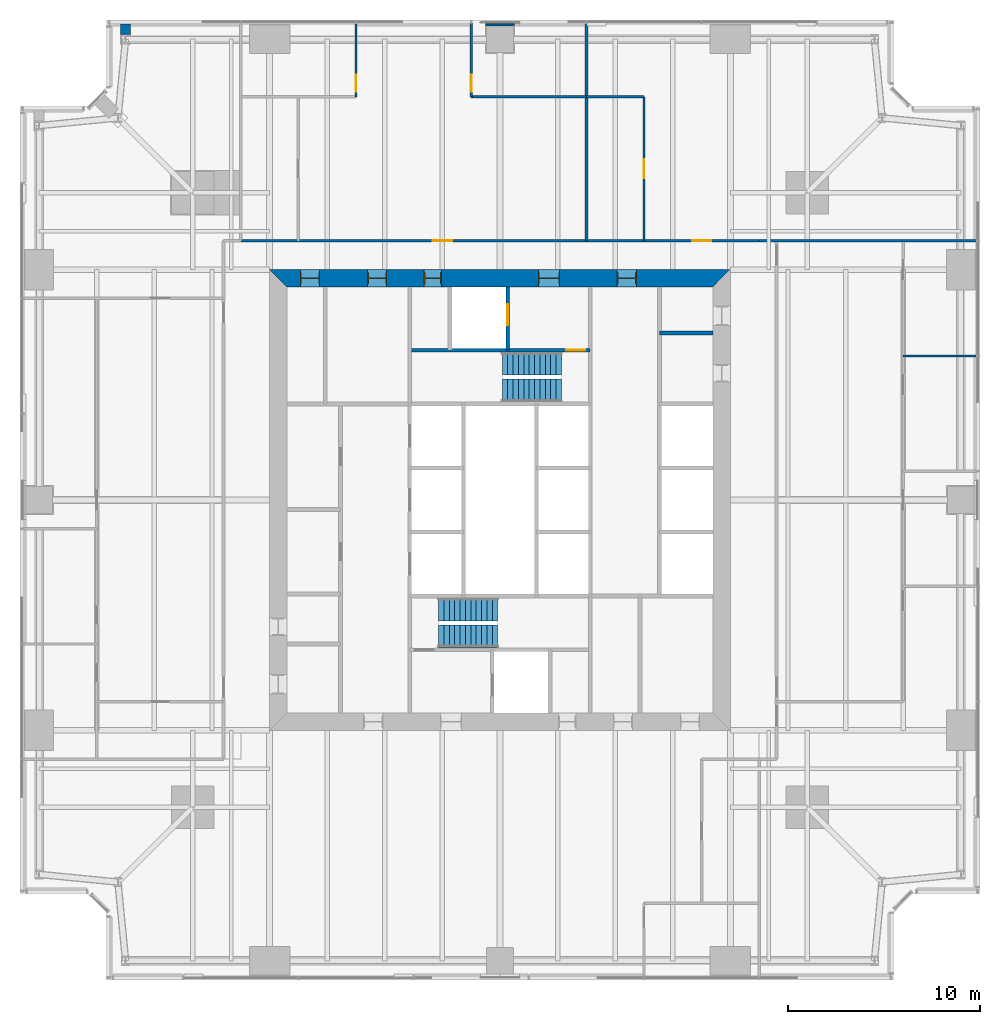
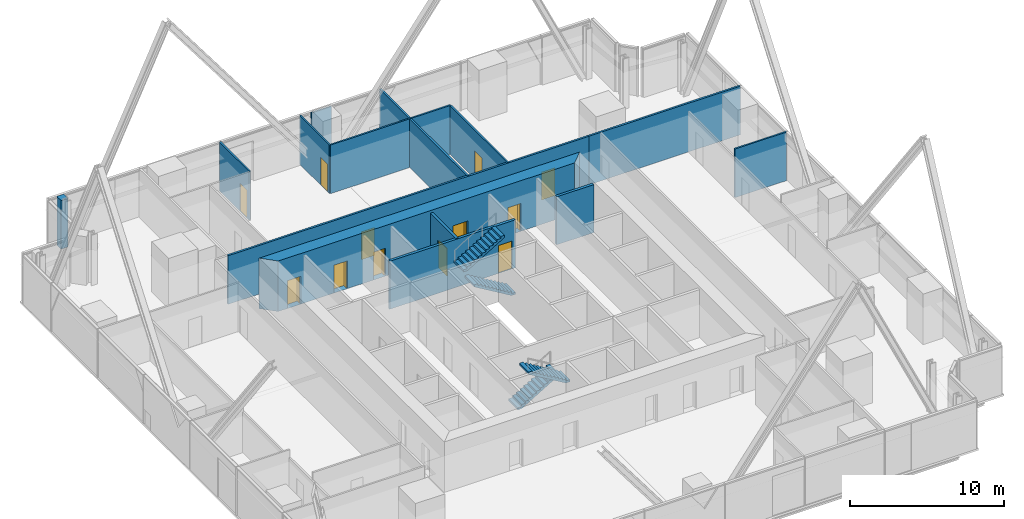
# One storey, part 11 of 13: 15 walls, 12 doors, 4 stair flights, 12 openings, 2 elements without a shape of their own.
"""IFC4 building model written with IfcOpenShell, lengths in metres."""

from ifc_helpers import new_model, si_unit, direction, frame, frame_2d, origin, place, context, subcontext, project, spatial, polyline, rectangle, outline, extrude, material, layer, layer_set, type_object, element, fill, aggregate, save


model = new_model("IFC4")

# Units and contexts
model_context = context("Model", 3, precision=1e-05, world=origin(), true_north=direction((0.0, 1.0)))
body_context = subcontext(model_context, "Body", "Model", "MODEL_VIEW")
ifc_project = project(units=[si_unit("LENGTHUNIT", "METRE"), si_unit("AREAUNIT", "SQUARE_METRE"), si_unit("VOLUMEUNIT", "CUBIC_METRE"), si_unit("PLANEANGLEUNIT", "RADIAN"), si_unit("MASSUNIT", "GRAM", prefix="KILO")], contexts=[model_context])

# Site, building, storey
site_placement = place(None, origin())
site = spatial("IfcSite", under=ifc_project, at=site_placement, CompositionType="ELEMENT")
building_placement = place(site_placement, origin())
building = spatial("IfcBuilding", under=site, at=building_placement, Name="Fenwick Lantern Interchange", CompositionType="ELEMENT")
storey_placement = place(building_placement, frame((0.0, 0.0, 114.39990234375)))
storey = spatial("IfcBuildingStorey", under=building, at=storey_placement, Name="L26", CompositionType="ELEMENT", Elevation=114.39990234375)

# Walls
ifc_material_1 = material(Name="Fire-rated gypsum board encasement on steel studs, 2 hour", Category="steel")
ifc_layer_1 = layer(ifc_material_1, 1.5)
ifc_layer_set_1 = layer_set([ifc_layer_1], Name="COLUMN PIER 1500")
wall_type_1 = type_object("IfcWallType", Name="COLUMN PIER 1500", PredefinedType="PARTITIONING", material=ifc_layer_set_1)
wall_1_placement = place(storey_placement, frame((25.0, 49.800048828125, 0.0), z_axis=(0.0, 0.0, 1.0), x_axis=(0.0, -1.0, 0.0)))
element("IfcWall", 1, at=wall_1_placement, inside=storey, type_object=wall_type_1, Name="L26/W/PIER/CN3", PredefinedType="PARTITIONING", context=body_context, shape_type="SweptSolid", body=[
    extrude(rectangle(XDim=0.10009765625, YDim=1.5, at=frame_2d((0.050048828125, 0.0))), origin(), (0.0, 0.0, 1.0), 3.85009765625),
])
ifc_layer_2 = layer(ifc_material_1, 0.52392578125)
ifc_layer_set_2 = layer_set([ifc_layer_2], Name="COLUMN PIER 524")
wall_type_2 = type_object("IfcWallType", Name="COLUMN PIER 524", PredefinedType="PARTITIONING", material=ifc_layer_set_2)
wall_2_placement = place(storey_placement, frame((5.5, 49.800048828125, 0.0), z_axis=(0.0, 0.0, 1.0), x_axis=(0.0, -1.0, 0.0)))
element("IfcWall", 2, at=wall_2_placement, inside=storey, type_object=wall_type_2, Name="L26/W/PIER/CN5", PredefinedType="PARTITIONING", context=body_context, shape_type="SweptSolid", body=[
    extrude(rectangle(XDim=0.5625, YDim=0.52392578125, at=frame_2d((0.28125, 0.0))), origin(), (0.0, 0.0, 1.0), 3.85009765625),
])

# Wall, opening, door
ifc_material_2 = material(Name="Concrete masonry ASTM C90 Grade N", Category="masonry")
ifc_layer_3 = layer(ifc_material_2, 0.199951171875)
ifc_layer_set_3 = layer_set([ifc_layer_3], Name="Concrete masonry ASTM C90 Grade N")
wall_type_3 = type_object("IfcWallType", Name="CORE PARTITION 200", PredefinedType="PARTITIONING", material=ifc_layer_set_3)
wall_3_placement = place(storey_placement, frame((25.39990234375, 36.10009765625, 0.0), z_axis=(0.0, 0.0, 1.0), x_axis=(0.0, -1.0, 0.0)))
wall_3 = element("IfcWall", 3, at=wall_3_placement, inside=storey, type_object=wall_type_3, Name="L26/W/COREN/h1", PredefinedType="PARTITIONING", context=body_context, shape_type="SweptSolid", body=[
    extrude(rectangle(XDim=3.300048828125, YDim=0.199951171875, at=frame_2d((1.64990234375, 0.0))), origin(), (0.0, 0.0, 1.0), 3.800048828125),
])
opening_1_placement = place(wall_3_placement, frame((0.89990234375, 0.0, 0.0)))
opening_1 = element("IfcOpeningElement", 4, at=opening_1_placement, cuts=wall_3, Name="Opening LD-FL2", PredefinedType="OPENING", context=body_context, shape_type="SweptSolid", body=[
    extrude(rectangle(XDim=1.10009765625, YDim=2.199951171875, at=frame_2d((0.550048828125, 1.10009765625))), frame((0.0, 0.10986328125, 0.0), z_axis=(0.0, -1.0, 0.0), x_axis=(1.0, 0.0, 0.0)), (0.0, 0.0, 1.0), 0.219970703125),
])
ifc_material_3 = material(Name="Steel door and frame", Category="steel")
door_type_1 = type_object("IfcDoorType", Name="LIFT LANDING DOOR 1100 X 2200", OperationType="DOUBLE_DOOR_SLIDING", PredefinedType="DOOR", material=ifc_material_3)
door_1_placement = place(opening_1_placement, origin())
door_1 = element("IfcDoor", 5, at=door_1_placement, inside=storey, type_object=door_type_1, Name="Lift landing door FL2", OperationType="DOUBLE_DOOR_SLIDING", OverallHeight=2.199951171875, OverallWidth=1.10009765625, PredefinedType="DOOR", context=body_context, shape_type="SweptSolid", body=[
    extrude(rectangle(XDim=1.10009765625, YDim=2.199951171875, at=frame_2d((0.550048828125, 1.10009765625))), frame((0.0, 0.02490234375, 0.0), z_axis=(0.0, -1.0, 0.0), x_axis=(1.0, 0.0, 0.0)), (0.0, 0.0, 1.0), 0.050048828125),
])
fill(opening_1, door_1)

# Wall
wall_4_placement = place(storey_placement, frame((36.10009765625, 33.699951171875, 0.0), z_axis=(0.0, 0.0, 1.0), x_axis=(-1.0, 0.0, 0.0)))
element("IfcWall", 6, at=wall_4_placement, inside=storey, type_object=wall_type_3, Name="L26/W/COREN/p1", PredefinedType="PARTITIONING", context=body_context, shape_type="SweptSolid", body=[
    extrude(rectangle(XDim=2.800048828125, YDim=0.199951171875, at=frame_2d((1.39990234375, 0.0))), origin(), (0.0, 0.0, 1.0), 3.800048828125),
])

# Wall, openings, doors
ifc_material_4 = material(Name="Concrete f'c 70 MPa", Category="concrete")
ifc_layer_4 = layer(ifc_material_4, 0.89990234375)
ifc_layer_set_4 = layer_set([ifc_layer_4], Name="CORE WALL 900")
wall_type_4 = type_object("IfcWallType", Name="CORE WALL 900", PredefinedType="SHEAR", material=ifc_layer_set_4)
wall_5_placement = place(storey_placement, frame((37.0, 36.550048828125, 0.0), z_axis=(0.0, 0.0, 1.0), x_axis=(-1.0, 0.0, 0.0)))
wall_5 = element("IfcWall", 7, at=wall_5_placement, inside=storey, type_object=wall_type_4, Name="L26/CORE/N", PredefinedType="SHEAR", context=body_context, shape_type="SweptSolid", body=[
    extrude(outline(polyline([(0.0, -0.449951171875), (24.0, -0.449951171875), (23.10009765625, 0.449951171875), (0.89990234375, 0.449951171875), (0.0, -0.449951171875)])), origin(), (0.0, 0.0, 1.0), 4.0),
])
opening_2_placement = place(wall_5_placement, frame((4.89990234375, 0.0, 0.0)))
opening_2 = element("IfcOpeningElement", 8, at=opening_2_placement, cuts=wall_5, Name="Opening L26-D011", PredefinedType="OPENING", context=body_context, shape_type="SweptSolid", body=[
    extrude(rectangle(XDim=1.0, YDim=2.199951171875, at=frame_2d((0.5, 1.10009765625))), frame((0.0, 0.4599609375, 0.0), z_axis=(0.0, -1.0, 0.0), x_axis=(1.0, 0.0, 0.0)), (0.0, 0.0, 1.0), 0.919921875),
])
opening_3_placement = place(wall_5_placement, frame((8.89990234375, 0.0, 0.0)))
opening_3 = element("IfcOpeningElement", 9, at=opening_3_placement, cuts=wall_5, Name="Opening L26-D012", PredefinedType="OPENING", context=body_context, shape_type="SweptSolid", body=[
    extrude(rectangle(XDim=1.10009765625, YDim=2.199951171875, at=frame_2d((0.550048828125, 1.10009765625))), frame((0.0, 0.4599609375, 0.0), z_axis=(0.0, -1.0, 0.0), x_axis=(1.0, 0.0, 0.0)), (0.0, 0.0, 1.0), 0.919921875),
])
opening_4_placement = place(wall_5_placement, frame((15.050048828125, 0.0, 0.0)))
opening_4 = element("IfcOpeningElement", 10, at=opening_4_placement, cuts=wall_5, Name="Opening L26-D014", PredefinedType="OPENING", context=body_context, shape_type="SweptSolid", body=[
    extrude(rectangle(XDim=0.89990234375, YDim=2.199951171875, at=frame_2d((0.449951171875, 1.10009765625))), frame((0.0, 0.4599609375, 0.0), z_axis=(0.0, -1.0, 0.0), x_axis=(1.0, 0.0, 0.0)), (0.0, 0.0, 1.0), 0.919921875),
])
opening_5_placement = place(wall_5_placement, frame((17.89990234375, 0.0, 0.0)))
opening_5 = element("IfcOpeningElement", 11, at=opening_5_placement, cuts=wall_5, Name="Opening L26-D015", PredefinedType="OPENING", context=body_context, shape_type="SweptSolid", body=[
    extrude(rectangle(XDim=1.0, YDim=2.199951171875, at=frame_2d((0.5, 1.10009765625))), frame((0.0, 0.4599609375, 0.0), z_axis=(0.0, -1.0, 0.0), x_axis=(1.0, 0.0, 0.0)), (0.0, 0.0, 1.0), 0.919921875),
])
opening_6_placement = place(wall_5_placement, frame((21.39990234375, 0.0, 0.0)))
opening_6 = element("IfcOpeningElement", 12, at=opening_6_placement, cuts=wall_5, Name="Opening L26-D016", PredefinedType="OPENING", context=body_context, shape_type="SweptSolid", body=[
    extrude(rectangle(XDim=1.0, YDim=2.199951171875, at=frame_2d((0.5, 1.10009765625))), frame((0.0, 0.4599609375, 0.0), z_axis=(0.0, -1.0, 0.0), x_axis=(1.0, 0.0, 0.0)), (0.0, 0.0, 1.0), 0.919921875),
])
door_type_2 = type_object("IfcDoorType", Name="CORE LOBBY DOOR 1000 X 2200", OperationType="SINGLE_SWING_LEFT", PredefinedType="DOOR", material=ifc_material_3)
door_2_placement = place(opening_2_placement, origin())
door_2 = element("IfcDoor", 13, at=door_2_placement, inside=storey, type_object=door_type_2, Name="Core lobby door", OperationType="SINGLE_SWING_LEFT", OverallHeight=2.199951171875, OverallWidth=1.0, PredefinedType="DOOR", context=body_context, shape_type="SweptSolid", body=[
    extrude(rectangle(XDim=1.0, YDim=2.199951171875, at=frame_2d((0.5, 1.10009765625))), frame((0.0, 0.02490234375, 0.0), z_axis=(0.0, -1.0, 0.0), x_axis=(1.0, 0.0, 0.0)), (0.0, 0.0, 1.0), 0.050048828125),
    extrude(outline(polyline([(0.0, 0.0), (0.0400390625, 0.0), (0.0400390625, 2.159912109375), (0.9599609375, 2.159912109375), (0.9599609375, 0.0), (1.0, 0.0), (1.0, 2.199951171875), (0.0, 2.199951171875), (0.0, 0.0)])), frame((0.0, 0.300048828125, 0.0), z_axis=(0.0, -1.0, 0.0), x_axis=(1.0, 0.0, 0.0)), (0.0, 0.0, 1.0), 0.60009765625),
])
fill(opening_2, door_2)
door_type_3 = type_object("IfcDoorType", Name="FIRE LOBBY DOOR 1100 X 2200", OperationType="SINGLE_SWING_LEFT", PredefinedType="DOOR", material=ifc_material_3)
door_3_placement = place(opening_3_placement, origin())
door_3 = element("IfcDoor", 14, at=door_3_placement, inside=storey, type_object=door_type_3, Name="Fire lobby door", OperationType="SINGLE_SWING_LEFT", OverallHeight=2.199951171875, OverallWidth=1.10009765625, PredefinedType="DOOR", context=body_context, shape_type="SweptSolid", body=[
    extrude(rectangle(XDim=1.10009765625, YDim=2.199951171875, at=frame_2d((0.550048828125, 1.10009765625))), frame((0.0, 0.02490234375, 0.0), z_axis=(0.0, -1.0, 0.0), x_axis=(1.0, 0.0, 0.0)), (0.0, 0.0, 1.0), 0.050048828125),
    extrude(outline(polyline([(0.0, 0.0), (0.0400390625, 0.0), (0.0400390625, 2.159912109375), (1.06005859375, 2.159912109375), (1.06005859375, 0.0), (1.10009765625, 0.0), (1.10009765625, 2.199951171875), (0.0, 2.199951171875), (0.0, 0.0)])), frame((0.0, 0.300048828125, 0.0), z_axis=(0.0, -1.0, 0.0), x_axis=(1.0, 0.0, 0.0)), (0.0, 0.0, 1.0), 0.60009765625),
])
fill(opening_3, door_3)
door_type_4 = type_object("IfcDoorType", Name="SERVICE DOOR 900 X 2200", OperationType="SINGLE_SWING_LEFT", PredefinedType="DOOR", material=ifc_material_3)
door_4_placement = place(opening_4_placement, origin())
door_4 = element("IfcDoor", 15, at=door_4_placement, inside=storey, type_object=door_type_4, Name="Service door", OperationType="SINGLE_SWING_LEFT", OverallHeight=2.199951171875, OverallWidth=0.89990234375, PredefinedType="DOOR", context=body_context, shape_type="SweptSolid", body=[
    extrude(rectangle(XDim=0.89990234375, YDim=2.199951171875, at=frame_2d((0.449951171875, 1.10009765625))), frame((0.0, 0.02490234375, 0.0), z_axis=(0.0, -1.0, 0.0), x_axis=(1.0, 0.0, 0.0)), (0.0, 0.0, 1.0), 0.050048828125),
    extrude(outline(polyline([(0.0, 0.0), (0.0400390625, 0.0), (0.0400390625, 2.159912109375), (0.85986328125, 2.159912109375), (0.85986328125, 0.0), (0.89990234375, 0.0), (0.89990234375, 2.199951171875), (0.0, 2.199951171875), (0.0, 0.0)])), frame((0.0, 0.300048828125, 0.0), z_axis=(0.0, -1.0, 0.0), x_axis=(1.0, 0.0, 0.0)), (0.0, 0.0, 1.0), 0.60009765625),
])
fill(opening_4, door_4)
ifc_material_5 = material(Name="Hardwood door and steel frame", Category="steel")
door_type_5 = type_object("IfcDoorType", Name="WC DOOR 1000 X 2200", OperationType="SINGLE_SWING_LEFT", PredefinedType="DOOR", material=ifc_material_5)
door_5_placement = place(opening_5_placement, origin())
door_5 = element("IfcDoor", 16, at=door_5_placement, inside=storey, type_object=door_type_5, Name="Wc door", OperationType="SINGLE_SWING_LEFT", OverallHeight=2.199951171875, OverallWidth=1.0, PredefinedType="DOOR", context=body_context, shape_type="SweptSolid", body=[
    extrude(rectangle(XDim=1.0, YDim=2.199951171875, at=frame_2d((0.5, 1.10009765625))), frame((0.0, 0.02490234375, 0.0), z_axis=(0.0, -1.0, 0.0), x_axis=(1.0, 0.0, 0.0)), (0.0, 0.0, 1.0), 0.050048828125),
    extrude(outline(polyline([(0.0, 0.0), (0.0400390625, 0.0), (0.0400390625, 2.159912109375), (0.9599609375, 2.159912109375), (0.9599609375, 0.0), (1.0, 0.0), (1.0, 2.199951171875), (0.0, 2.199951171875), (0.0, 0.0)])), frame((0.0, 0.300048828125, 0.0), z_axis=(0.0, -1.0, 0.0), x_axis=(1.0, 0.0, 0.0)), (0.0, 0.0, 1.0), 0.60009765625),
])
fill(opening_5, door_5)
door_6_placement = place(opening_6_placement, origin())
door_6 = element("IfcDoor", 17, at=door_6_placement, inside=storey, type_object=door_type_5, Name="Wc door", OperationType="SINGLE_SWING_LEFT", OverallHeight=2.199951171875, OverallWidth=1.0, PredefinedType="DOOR", context=body_context, shape_type="SweptSolid", body=[
    extrude(rectangle(XDim=1.0, YDim=2.199951171875, at=frame_2d((0.5, 1.10009765625))), frame((0.0, 0.02490234375, 0.0), z_axis=(0.0, -1.0, 0.0), x_axis=(1.0, 0.0, 0.0)), (0.0, 0.0, 1.0), 0.050048828125),
    extrude(outline(polyline([(0.0, 0.0), (0.0400390625, 0.0), (0.0400390625, 2.159912109375), (0.9599609375, 2.159912109375), (0.9599609375, 0.0), (1.0, 0.0), (1.0, 2.199951171875), (0.0, 2.199951171875), (0.0, 0.0)])), frame((0.0, 0.300048828125, 0.0), z_axis=(0.0, -1.0, 0.0), x_axis=(1.0, 0.0, 0.0)), (0.0, 0.0, 1.0), 0.60009765625),
])
fill(opening_6, door_6)

ifc_material_6 = material(Name="Gypsum board on steel studs, 1 hour", Category="steel")
ifc_layer_5 = layer(ifc_material_6, 0.14990234375)
ifc_layer_set_5 = layer_set([ifc_layer_5], Name="CORRIDOR WALL 150")
wall_type_5 = type_object("IfcWallType", Name="CORRIDOR WALL 150", PredefinedType="PARTITIONING", material=ifc_layer_set_5)
wall_6_placement = place(storey_placement, frame((38.5, 38.5, 0.0), z_axis=(0.0, 0.0, 1.0), x_axis=(-1.0, 0.0, 0.0)))
wall_6 = element("IfcWall", 18, at=wall_6_placement, inside=storey, type_object=wall_type_5, Name="L26/W/OFF/N/CW", PredefinedType="PARTITIONING", context=body_context, shape_type="SweptSolid", body=[
    extrude(rectangle(XDim=27.0, YDim=0.14990234375, at=frame_2d((13.5, 0.0))), origin(), (0.0, 0.0, 1.0), 3.85009765625),
])
opening_7_placement = place(wall_6_placement, frame((2.5, 0.0, 0.0)))
opening_7 = element("IfcOpeningElement", 19, at=opening_7_placement, cuts=wall_6, Name="Opening L26-D028", PredefinedType="OPENING", context=body_context, shape_type="SweptSolid", body=[
    extrude(rectangle(XDim=1.0, YDim=2.199951171875, at=frame_2d((0.5, 1.10009765625))), frame((0.0, 0.0849609375, 0.0), z_axis=(0.0, -1.0, 0.0), x_axis=(1.0, 0.0, 0.0)), (0.0, 0.0, 1.0), 0.169921875),
])
opening_8_placement = place(wall_6_placement, frame((16.0, 0.0, 0.0)))
opening_8 = element("IfcOpeningElement", 20, at=opening_8_placement, cuts=wall_6, Name="Opening L26-D030", PredefinedType="OPENING", context=body_context, shape_type="SweptSolid", body=[
    extrude(rectangle(XDim=1.0, YDim=2.199951171875, at=frame_2d((0.5, 1.10009765625))), frame((0.0, 0.0849609375, 0.0), z_axis=(0.0, -1.0, 0.0), x_axis=(1.0, 0.0, 0.0)), (0.0, 0.0, 1.0), 0.169921875),
])
door_type_6 = type_object("IfcDoorType", Name="SUITE ENTRANCE DOOR 1000 X 2200", OperationType="SINGLE_SWING_LEFT", PredefinedType="DOOR", material=ifc_material_3)
door_7_placement = place(opening_7_placement, frame((1.0, 0.0, 0.0), z_axis=(0.0, 0.0, 1.0), x_axis=(-1.0, 0.0, 0.0)))
door_7 = element("IfcDoor", 21, at=door_7_placement, inside=storey, type_object=door_type_6, Name="Suite entrance door", OperationType="SINGLE_SWING_LEFT", OverallHeight=2.199951171875, OverallWidth=1.0, PredefinedType="DOOR", context=body_context, shape_type="SweptSolid", body=[
    extrude(rectangle(XDim=1.0, YDim=2.199951171875, at=frame_2d((0.5, 1.10009765625))), frame((0.0, 0.02490234375, 0.0), z_axis=(0.0, -1.0, 0.0), x_axis=(1.0, 0.0, 0.0)), (0.0, 0.0, 1.0), 0.050048828125),
])
fill(opening_7, door_7)
door_8_placement = place(opening_8_placement, frame((1.0, 0.0, 0.0), z_axis=(0.0, 0.0, 1.0), x_axis=(-1.0, 0.0, 0.0)))
door_8 = element("IfcDoor", 22, at=door_8_placement, inside=storey, type_object=door_type_6, Name="Suite entrance door", OperationType="SINGLE_SWING_RIGHT", OverallHeight=2.199951171875, OverallWidth=1.0, PredefinedType="DOOR", context=body_context, shape_type="SweptSolid", body=[
    extrude(rectangle(XDim=1.0, YDim=2.199951171875, at=frame_2d((0.5, 1.10009765625))), frame((0.0, 0.02490234375, 0.0), z_axis=(0.0, -1.0, 0.0), x_axis=(1.0, 0.0, 0.0)), (0.0, 0.0, 1.0), 0.050048828125),
])
fill(opening_8, door_8)

# Wall
ifc_material_7 = material(Name="Gypsum board on steel studs, acoustic", Category="steel")
ifc_layer_6 = layer(ifc_material_7, 0.125)
ifc_layer_set_6 = layer_set([ifc_layer_6], Name="OFFICE PARTITION 125")
wall_type_6 = type_object("IfcWallType", Name="OFFICE PARTITION 125", PredefinedType="PARTITIONING", material=ifc_layer_set_6)
wall_7_placement = place(storey_placement, frame((49.85009765625, 32.5, 0.0), z_axis=(0.0, 0.0, 1.0), x_axis=(-1.0, 0.0, 0.0)))
element("IfcWall", 23, at=wall_7_placement, inside=storey, type_object=wall_type_6, Name="L26/W/OFF/E/X325-1", PredefinedType="PARTITIONING", context=body_context, shape_type="SweptSolid", body=[
    extrude(rectangle(XDim=3.85009765625, YDim=0.125, at=frame_2d((1.925048828125, 0.0))), origin(), (0.0, 0.0, 1.0), 3.85009765625),
])

# Wall, opening, door
wall_8_placement = place(storey_placement, frame((32.5, 46.0, 0.0), z_axis=(0.0, 0.0, 1.0), x_axis=(0.0, -1.0, 0.0)))
wall_8 = element("IfcWall", 24, at=wall_8_placement, inside=storey, type_object=wall_type_6, Name="L26/W/OFF/N/X175-1", PredefinedType="PARTITIONING", context=body_context, shape_type="SweptSolid", body=[
    extrude(rectangle(XDim=7.5, YDim=0.125, at=frame_2d((3.75, 0.0))), origin(), (0.0, 0.0, 1.0), 3.85009765625),
])
opening_9_placement = place(wall_8_placement, frame((3.25, 0.0, 0.0)))
opening_9 = element("IfcOpeningElement", 25, at=opening_9_placement, cuts=wall_8, Name="Opening L26-D029", PredefinedType="OPENING", context=body_context, shape_type="SweptSolid", body=[
    extrude(rectangle(XDim=1.0, YDim=2.199951171875, at=frame_2d((0.5, 1.10009765625))), frame((0.0, 0.072509765625, 0.0), z_axis=(0.0, -1.0, 0.0), x_axis=(1.0, 0.0, 0.0)), (0.0, 0.0, 1.0), 0.14501953125),
])
door_type_7 = type_object("IfcDoorType", Name="MEETING ROOM DOOR 1000 X 2200", OperationType="SINGLE_SWING_LEFT", PredefinedType="DOOR", material=ifc_material_5)
door_9_placement = place(opening_9_placement, frame((1.0, 0.0, 0.0), z_axis=(0.0, 0.0, 1.0), x_axis=(-1.0, 0.0, 0.0)))
door_9 = element("IfcDoor", 26, at=door_9_placement, inside=storey, type_object=door_type_7, Name="Meeting room door", OperationType="SINGLE_SWING_RIGHT", OverallHeight=2.199951171875, OverallWidth=1.0, PredefinedType="DOOR", context=body_context, shape_type="SweptSolid", body=[
    extrude(rectangle(XDim=1.0, YDim=2.199951171875, at=frame_2d((0.5, 1.10009765625))), frame((0.0, 0.02490234375, 0.0), z_axis=(0.0, -1.0, 0.0), x_axis=(1.0, 0.0, 0.0)), (0.0, 0.0, 1.0), 0.050048828125),
])
fill(opening_9, door_9)

wall_9_placement = place(storey_placement, frame((23.5, 49.85009765625, 0.0), z_axis=(0.0, 0.0, 1.0), x_axis=(0.0, -1.0, 0.0)))
wall_9 = element("IfcWall", 27, at=wall_9_placement, inside=storey, type_object=wall_type_6, Name="L26/W/OFF/N/X265-1", PredefinedType="PARTITIONING", context=body_context, shape_type="SweptSolid", body=[
    extrude(rectangle(XDim=3.85009765625, YDim=0.125, at=frame_2d((1.925048828125, 0.0))), origin(), (0.0, 0.0, 1.0), 3.85009765625),
])
opening_10_placement = place(wall_9_placement, frame((2.699951171875, 0.0, 0.0)))
opening_10 = element("IfcOpeningElement", 28, at=opening_10_placement, cuts=wall_9, Name="Opening L26-D031", PredefinedType="OPENING", context=body_context, shape_type="SweptSolid", body=[
    extrude(rectangle(XDim=0.89990234375, YDim=2.199951171875, at=frame_2d((0.449951171875, 1.10009765625))), frame((0.0, 0.072509765625, 0.0), z_axis=(0.0, -1.0, 0.0), x_axis=(1.0, 0.0, 0.0)), (0.0, 0.0, 1.0), 0.14501953125),
])
door_type_8 = type_object("IfcDoorType", Name="OFFICE DOOR 900 X 2200", OperationType="SINGLE_SWING_LEFT", PredefinedType="DOOR", material=ifc_material_5)
door_10_placement = place(opening_10_placement, origin())
door_10 = element("IfcDoor", 29, at=door_10_placement, inside=storey, type_object=door_type_8, Name="Office door", OperationType="SINGLE_SWING_RIGHT", OverallHeight=2.199951171875, OverallWidth=0.89990234375, PredefinedType="DOOR", context=body_context, shape_type="SweptSolid", body=[
    extrude(rectangle(XDim=0.89990234375, YDim=2.199951171875, at=frame_2d((0.449951171875, 1.10009765625))), frame((0.0, 0.02490234375, 0.0), z_axis=(0.0, -1.0, 0.0), x_axis=(1.0, 0.0, 0.0)), (0.0, 0.0, 1.0), 0.050048828125),
])
fill(opening_10, door_10)

wall_10_placement = place(storey_placement, frame((17.5, 49.85009765625, 0.0), z_axis=(0.0, 0.0, 1.0), x_axis=(0.0, -1.0, 0.0)))
wall_10 = element("IfcWall", 30, at=wall_10_placement, inside=storey, type_object=wall_type_6, Name="L26/W/OFF/N/X325-1", PredefinedType="PARTITIONING", context=body_context, shape_type="SweptSolid", body=[
    extrude(rectangle(XDim=3.85009765625, YDim=0.125, at=frame_2d((1.925048828125, 0.0))), origin(), (0.0, 0.0, 1.0), 3.85009765625),
])
opening_11_placement = place(wall_10_placement, frame((2.699951171875, 0.0, 0.0)))
opening_11 = element("IfcOpeningElement", 31, at=opening_11_placement, cuts=wall_10, Name="Opening L26-D032", PredefinedType="OPENING", context=body_context, shape_type="SweptSolid", body=[
    extrude(rectangle(XDim=0.89990234375, YDim=2.199951171875, at=frame_2d((0.449951171875, 1.10009765625))), frame((0.0, 0.072509765625, 0.0), z_axis=(0.0, -1.0, 0.0), x_axis=(1.0, 0.0, 0.0)), (0.0, 0.0, 1.0), 0.14501953125),
])
door_11_placement = place(opening_11_placement, frame((0.89990234375, 0.0, 0.0), z_axis=(0.0, 0.0, 1.0), x_axis=(-1.0, 0.0, 0.0)))
door_11 = element("IfcDoor", 32, at=door_11_placement, inside=storey, type_object=door_type_8, Name="Office door", OperationType="SINGLE_SWING_LEFT", OverallHeight=2.199951171875, OverallWidth=0.89990234375, PredefinedType="DOOR", context=body_context, shape_type="SweptSolid", body=[
    extrude(rectangle(XDim=0.89990234375, YDim=2.199951171875, at=frame_2d((0.449951171875, 1.10009765625))), frame((0.0, 0.02490234375, 0.0), z_axis=(0.0, -1.0, 0.0), x_axis=(1.0, 0.0, 0.0)), (0.0, 0.0, 1.0), 0.050048828125),
])
fill(opening_11, door_11)

# Walls
wall_11_placement = place(storey_placement, frame((32.5, 46.0, 0.0), z_axis=(0.0, 0.0, 1.0), x_axis=(-1.0, 0.0, 0.0)))
element("IfcWall", 33, at=wall_11_placement, inside=storey, type_object=wall_type_6, Name="L26/W/OFF/N/Y40-1", PredefinedType="PARTITIONING", context=body_context, shape_type="SweptSolid", body=[
    extrude(rectangle(XDim=3.0, YDim=0.125, at=frame_2d((1.5, 0.0))), origin(), (0.0, 0.0, 1.0), 3.85009765625),
])
wall_12_placement = place(storey_placement, frame((29.5, 46.0, 0.0), z_axis=(0.0, 0.0, 1.0), x_axis=(-1.0, 0.0, 0.0)))
element("IfcWall", 34, at=wall_12_placement, inside=storey, type_object=wall_type_6, Name="L26/W/OFF/N/Y40-2", PredefinedType="PARTITIONING", context=body_context, shape_type="SweptSolid", body=[
    extrude(rectangle(XDim=6.0, YDim=0.125, at=frame_2d((3.0, 0.0))), origin(), (0.0, 0.0, 1.0), 3.85009765625),
])

# Wall, opening, door
ifc_material_8 = material(Name="Concrete f'c 45 MPa", Category="concrete")
ifc_layer_7 = layer(ifc_material_8, 0.199951171875)
ifc_layer_set_7 = layer_set([ifc_layer_7], Name="STAIR CORE WALL 200")
wall_type_7 = type_object("IfcWallType", Name="STAIR CORE WALL 200", PredefinedType="SOLIDWALL", material=ifc_layer_set_7)
wall_13_placement = place(storey_placement, frame((29.699951171875, 32.800048828125, 0.0), z_axis=(0.0, 0.0, 1.0), x_axis=(-1.0, 0.0, 0.0)))
wall_13 = element("IfcWall", 35, at=wall_13_placement, inside=storey, type_object=wall_type_7, Name="L26/W/COREN/g1", PredefinedType="SOLIDWALL", context=body_context, shape_type="SweptSolid", body=[
    extrude(rectangle(XDim=9.39990234375, YDim=0.199951171875, at=frame_2d((4.699951171875, 0.0))), origin(), (0.0, 0.0, 1.0), 3.800048828125),
])
opening_12_placement = place(wall_13_placement, frame((0.25, 0.0, 0.0)))
opening_12 = element("IfcOpeningElement", 36, at=opening_12_placement, cuts=wall_13, Name="Opening L26-D013", PredefinedType="OPENING", context=body_context, shape_type="SweptSolid", body=[
    extrude(rectangle(XDim=1.0, YDim=2.199951171875, at=frame_2d((0.5, 1.10009765625))), frame((0.0, 0.10986328125, 0.0), z_axis=(0.0, -1.0, 0.0), x_axis=(1.0, 0.0, 0.0)), (0.0, 0.0, 1.0), 0.219970703125),
])
door_type_9 = type_object("IfcDoorType", Name="STAIR DOOR 1000 X 2200", OperationType="SINGLE_SWING_LEFT", PredefinedType="DOOR", material=ifc_material_3)
door_12_placement = place(opening_12_placement, origin())
door_12 = element("IfcDoor", 37, at=door_12_placement, inside=storey, type_object=door_type_9, Name="Stair door", OperationType="SINGLE_SWING_LEFT", OverallHeight=2.199951171875, OverallWidth=1.0, PredefinedType="DOOR", context=body_context, shape_type="SweptSolid", body=[
    extrude(rectangle(XDim=1.0, YDim=2.199951171875, at=frame_2d((0.5, 1.10009765625))), frame((0.0, 0.02490234375, 0.0), z_axis=(0.0, -1.0, 0.0), x_axis=(1.0, 0.0, 0.0)), (0.0, 0.0, 1.0), 0.050048828125),
])
fill(opening_12, door_12)

# Walls
ifc_material_9 = material(Name="Gypsum board on steel studs, 1 hour acoustic", Category="steel")
ifc_layer_8 = layer(ifc_material_9, 0.14990234375)
ifc_layer_set_8 = layer_set([ifc_layer_8], Name="TENANT WALL 150")
wall_type_8 = type_object("IfcWallType", Name="TENANT WALL 150", PredefinedType="PARTITIONING", material=ifc_layer_set_8)
for number, where, z_axis, x_axis, name in (
    (38, (49.85009765625, 38.5, 0.0), (0.0, 0.0, 1.0), (-1.0, 0.0, 0.0), "L26/W/OFF/N/BACK"),
    (39, (29.5, 49.85009765625, 0.0), (0.0, 0.0, 1.0), (0.0, -1.0, 0.0), "L26/W/OFF/N/X205-1"),
):
    element("IfcWall", number, at=place(storey_placement, frame(where, z_axis=z_axis, x_axis=x_axis)), inside=storey, type_object=wall_type_8, Name=name, PredefinedType="PARTITIONING", context=body_context, shape_type="SweptSolid", body=[
        extrude(rectangle(XDim=11.35009765625, YDim=0.14990234375, at=frame_2d((5.675048828125, 0.0))), origin(), (0.0, 0.0, 1.0), 3.85009765625),
    ])

# Stair, stair flights
ifc_material_10 = material(Name="Precast concrete f'c 35 MPa", Category="concrete")
stair_type = type_object("IfcStairType", Name="EXIT STAIR 1200", PredefinedType="HALF_TURN_STAIR", material=ifc_material_10)
stair_1_placement = place(storey_placement, origin())
stair_1 = element("IfcStair", 40, at=stair_1_placement, inside=storey, type_object=stair_type, Name="Exit stair ST1", PredefinedType="HALF_TURN_STAIR")
stair_flight_type = type_object("IfcStairFlightType", Name="STAIR FLIGHT 1200", PredefinedType="STRAIGHT", material=ifc_material_10)
stair_flight_1_placement = place(storey_placement, frame((21.800048828125, 19.300048828125, 0.0), z_axis=(0.0, 0.0, 1.0), x_axis=(1.0, 0.0, 0.0)))
stair_flight_1 = element("IfcStairFlight", 41, at=stair_flight_1_placement, type_object=stair_flight_type, Name="ST1 flight 1", NumberOfRisers=12, NumberOfTreads=11, PredefinedType="STRAIGHT", RiserHeight=0.166666667, TreadLength=0.28, context=body_context, shape_type="SweptSolid", body=[
    extrude(outline(polyline([(0.0, 0.0), (0.0, 0.166748046875), (0.280029296875, 0.166748046875), (0.280029296875, 0.333251953125), (0.56005859375, 0.333251953125), (0.56005859375, 0.5), (0.840087890625, 0.5), (0.840087890625, 0.666748046875), (1.1201171875, 0.666748046875), (1.1201171875, 0.833251953125), (1.39990234375, 0.833251953125), (1.39990234375, 1.0), (1.679931640625, 1.0), (1.679931640625, 1.166748046875), (1.9599609375, 1.166748046875), (1.9599609375, 1.333251953125), (2.239990234375, 1.333251953125), (2.239990234375, 1.5), (2.52001953125, 1.5), (2.52001953125, 1.666748046875), (2.800048828125, 1.666748046875), (2.800048828125, 1.833251953125), (3.080078125, 1.833251953125), (3.080078125, 2.0), (3.080078125, 1.658935546875), (0.29296875, 0.0), (0.0, 0.0)])), frame((0.0, 0.60009765625, 0.0), z_axis=(0.0, -1.0, 0.0), x_axis=(1.0, 0.0, 0.0)), (0.0, 0.0, 1.0), 1.199951171875),
])
stair_flight_2_placement = place(storey_placement, frame((24.8798828125, 17.89990234375, 2.0), z_axis=(0.0, 0.0, 1.0), x_axis=(-1.0, 0.0, 0.0)))
stair_flight_2 = element("IfcStairFlight", 42, at=stair_flight_2_placement, type_object=stair_flight_type, Name="ST1 flight 2", NumberOfRisers=12, NumberOfTreads=11, PredefinedType="STRAIGHT", RiserHeight=0.166666667, TreadLength=0.28, context=body_context, shape_type="SweptSolid", body=[
    extrude(outline(polyline([(0.0, 0.0), (0.0, 0.166748046875), (0.280029296875, 0.166748046875), (0.280029296875, 0.333251953125), (0.56005859375, 0.333251953125), (0.56005859375, 0.5), (0.840087890625, 0.5), (0.840087890625, 0.666748046875), (1.1201171875, 0.666748046875), (1.1201171875, 0.833251953125), (1.39990234375, 0.833251953125), (1.39990234375, 1.0), (1.679931640625, 1.0), (1.679931640625, 1.166748046875), (1.9599609375, 1.166748046875), (1.9599609375, 1.333251953125), (2.239990234375, 1.333251953125), (2.239990234375, 1.5), (2.52001953125, 1.5), (2.52001953125, 1.666748046875), (2.800048828125, 1.666748046875), (2.800048828125, 1.833251953125), (3.080078125, 1.833251953125), (3.080078125, 2.0), (3.080078125, 1.658935546875), (0.29296875, 0.0), (0.0, 0.0)])), frame((0.0, 0.60009765625, 0.0), z_axis=(0.0, -1.0, 0.0), x_axis=(1.0, 0.0, 0.0)), (0.0, 0.0, 1.0), 1.199951171875),
])
aggregate(stair_1, [stair_flight_1, stair_flight_2])

stair_2_placement = place(storey_placement, origin())
stair_2 = element("IfcStair", 43, at=stair_2_placement, inside=storey, type_object=stair_type, Name="Exit stair ST2", PredefinedType="HALF_TURN_STAIR")
stair_flight_3_placement = place(storey_placement, frame((28.199951171875, 30.699951171875, 0.0), z_axis=(0.0, 0.0, 1.0), x_axis=(-1.0, 0.0, 0.0)))
stair_flight_3 = element("IfcStairFlight", 44, at=stair_flight_3_placement, type_object=stair_flight_type, Name="ST2 flight 1", NumberOfRisers=12, NumberOfTreads=11, PredefinedType="STRAIGHT", RiserHeight=0.166666667, TreadLength=0.28, context=body_context, shape_type="SweptSolid", body=[
    extrude(outline(polyline([(0.0, 0.0), (0.0, 0.166748046875), (0.280029296875, 0.166748046875), (0.280029296875, 0.333251953125), (0.56005859375, 0.333251953125), (0.56005859375, 0.5), (0.840087890625, 0.5), (0.840087890625, 0.666748046875), (1.1201171875, 0.666748046875), (1.1201171875, 0.833251953125), (1.39990234375, 0.833251953125), (1.39990234375, 1.0), (1.679931640625, 1.0), (1.679931640625, 1.166748046875), (1.9599609375, 1.166748046875), (1.9599609375, 1.333251953125), (2.239990234375, 1.333251953125), (2.239990234375, 1.5), (2.52001953125, 1.5), (2.52001953125, 1.666748046875), (2.800048828125, 1.666748046875), (2.800048828125, 1.833251953125), (3.080078125, 1.833251953125), (3.080078125, 2.0), (3.080078125, 1.658935546875), (0.29296875, 0.0), (0.0, 0.0)])), frame((0.0, 0.60009765625, 0.0), z_axis=(0.0, -1.0, 0.0), x_axis=(1.0, 0.0, 0.0)), (0.0, 0.0, 1.0), 1.199951171875),
])
stair_flight_4_placement = place(storey_placement, frame((25.1201171875, 32.10009765625, 2.0), z_axis=(0.0, 0.0, 1.0), x_axis=(1.0, 0.0, 0.0)))
stair_flight_4 = element("IfcStairFlight", 45, at=stair_flight_4_placement, type_object=stair_flight_type, Name="ST2 flight 2", NumberOfRisers=12, NumberOfTreads=11, PredefinedType="STRAIGHT", RiserHeight=0.166666667, TreadLength=0.28, context=body_context, shape_type="SweptSolid", body=[
    extrude(outline(polyline([(0.0, 0.0), (0.0, 0.166748046875), (0.280029296875, 0.166748046875), (0.280029296875, 0.333251953125), (0.56005859375, 0.333251953125), (0.56005859375, 0.5), (0.840087890625, 0.5), (0.840087890625, 0.666748046875), (1.1201171875, 0.666748046875), (1.1201171875, 0.833251953125), (1.39990234375, 0.833251953125), (1.39990234375, 1.0), (1.679931640625, 1.0), (1.679931640625, 1.166748046875), (1.9599609375, 1.166748046875), (1.9599609375, 1.333251953125), (2.239990234375, 1.333251953125), (2.239990234375, 1.5), (2.52001953125, 1.5), (2.52001953125, 1.666748046875), (2.800048828125, 1.666748046875), (2.800048828125, 1.833251953125), (3.080078125, 1.833251953125), (3.080078125, 2.0), (3.080078125, 1.658935546875), (0.29296875, 0.0), (0.0, 0.0)])), frame((0.0, 0.60009765625, 0.0), z_axis=(0.0, -1.0, 0.0), x_axis=(1.0, 0.0, 0.0)), (0.0, 0.0, 1.0), 1.199951171875),
])
aggregate(stair_2, [stair_flight_3, stair_flight_4])

save(model, "model.ifc")
